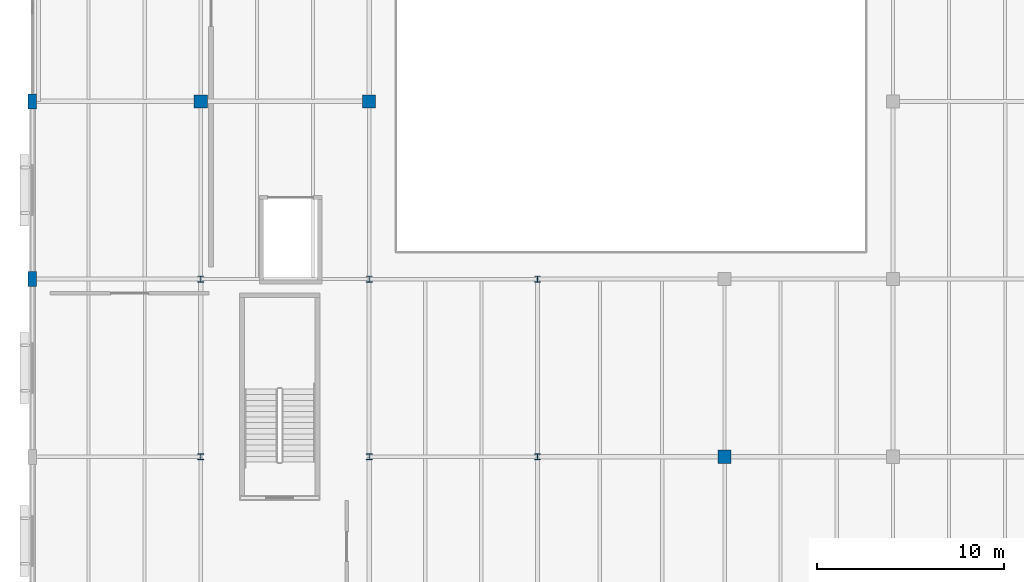
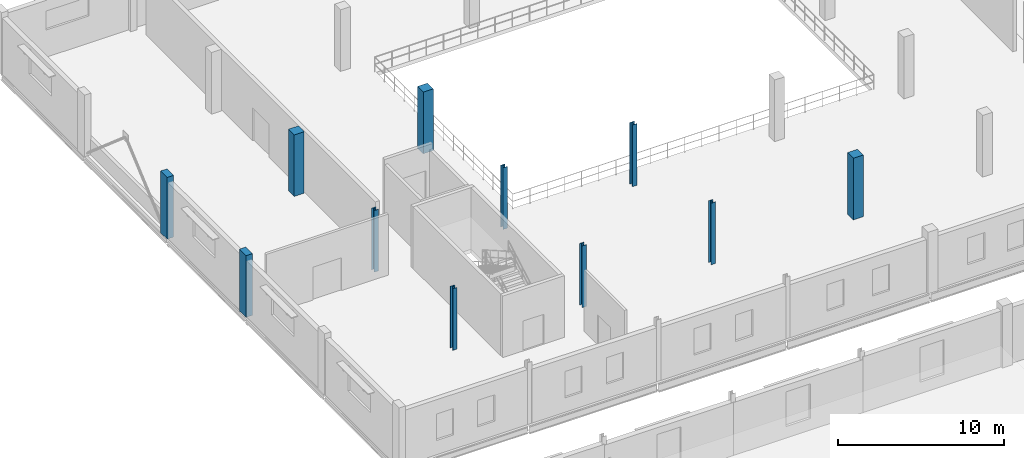
# One storey, part 13 of 93: 11 columns.
"""IFC4 building model written with IfcOpenShell, lengths in metres."""

from ifc_helpers import new_model, si_unit, direction, frame, origin, origin_2d, place, context, subcontext, project, spatial, rectangle, i_section, extrude, material, material_profile, profile_set, type_object, element, save


model = new_model("IFC4")

# Units and contexts
model_context = context("Model", 3, precision=1e-05, world=origin(), true_north=direction((0.0, 1.0)))
body_context = subcontext(model_context, "Body", "Model", "MODEL_VIEW")
ifc_project = project(units=[si_unit("LENGTHUNIT", "METRE"), si_unit("AREAUNIT", "SQUARE_METRE"), si_unit("VOLUMEUNIT", "CUBIC_METRE"), si_unit("PLANEANGLEUNIT", "RADIAN"), si_unit("MASSUNIT", "GRAM", prefix="KILO")], contexts=[model_context])

# Site, building, storey
site_placement = place(None, origin())
site = spatial("IfcSite", under=ifc_project, at=site_placement, CompositionType="ELEMENT")
building_placement = place(site_placement, origin())
building = spatial("IfcBuilding", under=site, at=building_placement, Name="Marnock Terrace Opera House", CompositionType="ELEMENT")
storey_placement = place(building_placement, frame((0.0, 0.0, 5.39990234375)))
storey = spatial("IfcBuildingStorey", under=building, at=storey_placement, Name="L01", CompositionType="ELEMENT", Elevation=5.39990234375)

# Columns
ifc_material_1 = material(Name="Concrete N40 (f'c = 40 MPa)", Category="concrete")
ifc_material_profile_1 = material_profile(ifc_material_1, rectangle(XDim=0.449951171875, YDim=0.800048828125, at=origin_2d()))
ifc_profile_set_1 = profile_set([ifc_material_profile_1], Name="Concrete N40 (f'c = 40 MPa)")
column_type_1 = type_object("IfcColumnType", Name="COL-PIL-800", PredefinedType="PILASTER", material=ifc_profile_set_1)
for number, where, z_axis, x_axis, name in (
    (1, (0.0, 84.5, 0.0), (0.0, 0.0, 1.0), (1.0, 0.0, 0.0), "L01 column at (0.0, 84.5)"),
    (2, (0.0, 94.0, 0.0), (0.0, 0.0, 1.0), (1.0, 0.0, 0.0), "L01 column at (0.0, 94.0)"),
):
    element("IfcColumn", number, at=place(storey_placement, frame(where, z_axis=z_axis, x_axis=x_axis)), inside=storey, type_object=column_type_1, Name=name, PredefinedType="PILASTER", context=body_context, shape_type="SweptSolid", body=[
        extrude(rectangle(XDim=0.449951171875, YDim=0.800048828125, at=origin_2d()), origin(), (0.0, 0.0, 1.0), 4.5400390625),
    ])
ifc_material_profile_2 = material_profile(ifc_material_1, rectangle(XDim=0.699951171875, YDim=0.699951171875, at=origin_2d()))
ifc_profile_set_2 = profile_set([ifc_material_profile_2], Name="Concrete N40 (f'c = 40 MPa)")
column_type_2 = type_object("IfcColumnType", Name="COL-RC700", PredefinedType="COLUMN", material=ifc_profile_set_2)
for number, where, z_axis, x_axis, name in (
    (3, (9.0, 94.0, 0.0), (0.0, 0.0, 1.0), (1.0, 0.0, 0.0), "L01 column at (9.0, 94.0)"),
    (4, (18.0, 94.0, 0.0), (0.0, 0.0, 1.0), (1.0, 0.0, 0.0), "L01 column at (18.0, 94.0)"),
    (5, (37.0, 75.0, 0.0), (0.0, 0.0, 1.0), (1.0, 0.0, 0.0), "L01 column at (37.0, 75.0)"),
):
    element("IfcColumn", number, at=place(storey_placement, frame(where, z_axis=z_axis, x_axis=x_axis)), inside=storey, type_object=column_type_2, Name=name, PredefinedType="COLUMN", context=body_context, shape_type="SweptSolid", body=[
        extrude(rectangle(XDim=0.699951171875, YDim=0.699951171875, at=origin_2d()), origin(), (0.0, 0.0, 1.0), 4.5400390625),
    ])
ifc_material_2 = material(Name="Steel Grade 350 (AS/NZS 3679.1)", Category="steel")
ifc_material_profile_3 = material_profile(ifc_material_2, i_section(OverallWidth=0.30908203125, OverallDepth=0.320556640625, WebThickness=0.013916015625, FlangeThickness=0.021728515625, FilletRadius=0.0166015625, at=origin_2d()))
ifc_profile_set_3 = profile_set([ifc_material_profile_3], Name="Steel Grade 350 (AS/NZS 3679.1)")
column_type_3 = type_object("IfcColumnType", Name="COL-UC310B", PredefinedType="COLUMN", material=ifc_profile_set_3)
for number, where, z_axis, x_axis, name in (
    (6, (9.0, 75.0, 0.0), (0.0, 0.0, 1.0), (1.0, 0.0, 0.0), "L01 column at (9.0, 75.0)"),
    (7, (9.0, 84.5, 0.0), (0.0, 0.0, 1.0), (1.0, 0.0, 0.0), "L01 column at (9.0, 84.5)"),
    (8, (18.0, 75.0, 0.0), (0.0, 0.0, 1.0), (1.0, 0.0, 0.0), "L01 column at (18.0, 75.0)"),
    (9, (18.0, 84.5, 0.0), (0.0, 0.0, 1.0), (1.0, 0.0, 0.0), "L01 column at (18.0, 84.5)"),
    (10, (27.0, 75.0, 0.0), (0.0, 0.0, 1.0), (1.0, 0.0, 0.0), "L01 column at (27.0, 75.0)"),
    (11, (27.0, 84.5, 0.0), (0.0, 0.0, 1.0), (1.0, 0.0, 0.0), "L01 column at (27.0, 84.5)"),
):
    element("IfcColumn", number, at=place(storey_placement, frame(where, z_axis=z_axis, x_axis=x_axis)), inside=storey, type_object=column_type_3, Name=name, PredefinedType="COLUMN", context=body_context, shape_type="SweptSolid", body=[
        extrude(i_section(OverallWidth=0.30908203125, OverallDepth=0.320556640625, WebThickness=0.013916015625, FlangeThickness=0.021728515625, FilletRadius=0.0166015625, at=origin_2d()), origin(), (0.0, 0.0, 1.0), 4.5400390625),
    ])

save(model, "model.ifc")
